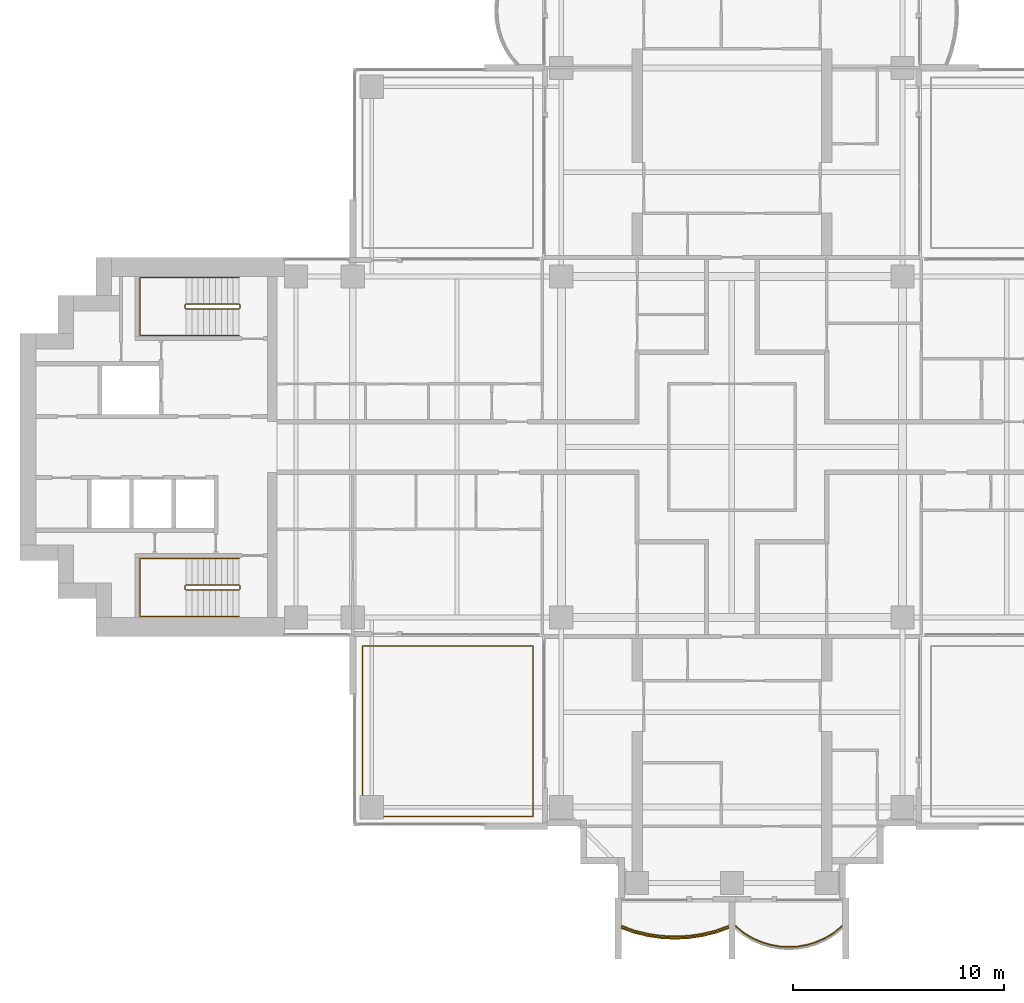
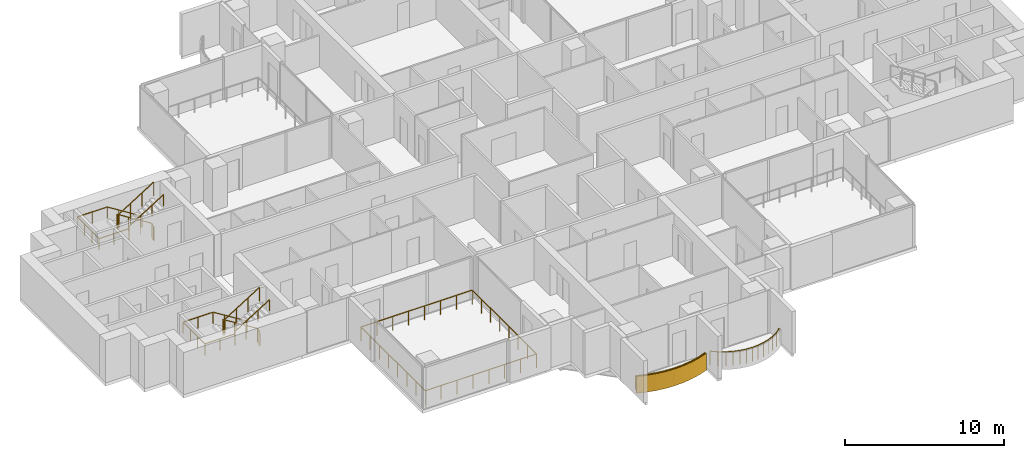
# One storey, part 16 of 18: 7 railings, 1 covering.
"""IFC4 building model written with IfcOpenShell, lengths in metres."""

from ifc_helpers import new_model, si_unit, direction, frame, origin, origin_2d, place, context, subcontext, project, spatial, polyline, rectangle, outline, extrude, material, layer, layer_set, type_object, element, save


model = new_model("IFC4")

# Units and contexts
model_context = context("Model", 3, precision=1e-05, world=origin(), true_north=direction((0.0, 1.0)))
body_context = subcontext(model_context, "Body", "Model", "MODEL_VIEW")
ifc_project = project(units=[si_unit("LENGTHUNIT", "METRE"), si_unit("AREAUNIT", "SQUARE_METRE"), si_unit("VOLUMEUNIT", "CUBIC_METRE"), si_unit("PLANEANGLEUNIT", "RADIAN"), si_unit("MASSUNIT", "GRAM", prefix="KILO")], contexts=[model_context])

# Site, building, storey
site_placement = place(None, origin())
site = spatial("IfcSite", under=ifc_project, at=site_placement, CompositionType="ELEMENT")
building_placement = place(site_placement, origin())
building = spatial("IfcBuilding", under=site, at=building_placement, Name="Perihelion Cross Residences", CompositionType="ELEMENT")
storey_placement = place(building_placement, frame((0.0, 0.0, 123.39990234375)))
storey = spatial("IfcBuildingStorey", under=building, at=storey_placement, Name="L29", CompositionType="ELEMENT", Elevation=123.39990234375)

# Covering
ifc_material_1 = material(Name="Bronze anodised aluminium", Category="aluminium")
ifc_layer = layer(ifc_material_1, 0.070068359375)
ifc_layer_set = layer_set([ifc_layer], Name="Balcony fascia 1300")
covering_type = type_object("IfcCoveringType", Name="Balcony fascia 1300", PredefinedType="CLADDING", material=ifc_layer_set)
covering_placement = place(storey_placement, frame((0.0, 0.0, -0.199951171875)))
element("IfcCovering", 1, at=covering_placement, inside=storey, type_object=covering_type, Name="Fascia BF1 L29 south tip south bay 1", PredefinedType="CLADDING", context=body_context, shape_type="SweptSolid", body=[
    extrude(outline(polyline([(-4.63232421875, -23.090576171875), (-3.98828125, -23.247314453125), (-3.34423828125, -23.339599609375), (-2.699951171875, -23.3701171875), (-2.055908203125, -23.339599609375), (-1.411865234375, -23.247314453125), (-0.767578125, -23.090576171875), (-0.14990234375, -22.874267578125), (-0.14990234375, -22.800048828125), (-0.78759765625, -23.0234375), (-1.425048828125, -23.178466796875), (-2.0625, -23.269775390625), (-2.699951171875, -23.300048828125), (-3.33740234375, -23.269775390625), (-3.97509765625, -23.178466796875), (-4.612548828125, -23.0234375), (-5.25, -22.800048828125), (-5.25, -22.874267578125), (-4.63232421875, -23.090576171875)])), origin(), (0.0, 0.0, 1.0), 1.300048828125),
])

# Railings
ifc_material_2 = material(Name="Bronze anodised aluminium", Category="aluminium")
railing_type_1 = type_object("IfcRailingType", Name="Balcony guard 1100", PredefinedType="GUARDRAIL", material=ifc_material_2)
railing_1_placement = place(storey_placement, frame((-5.22509765625, -22.739990234375, 0.0)))
element("IfcRailing", 2, at=railing_1_placement, inside=storey, type_object=railing_type_1, Name="Guard GU1 L29 south tip south bay 1 balcony", PredefinedType="GUARDRAIL", context=body_context, shape_type="SweptSolid", body=[
    extrude(rectangle(XDim=0.048095703125, YDim=0.048095703125, at=origin_2d()), frame((0.0, 0.0, 1.076171875), z_axis=(0.939355405384, -0.342945217749, 0.0), x_axis=(0.342945217749, 0.939355405384, 0.0)), (0.0, 0.0, 1.0), 0.652099609375),
    extrude(rectangle(XDim=0.048095703125, YDim=0.048095703125, at=origin_2d()), frame((0.612548828125, -0.2236328125, 1.076171875), z_axis=(0.971676841941, -0.236313594268, 0.0), x_axis=(0.236313594268, 0.971676841941, 0.0)), (0.0, 0.0, 1.0), 0.656005859375),
    extrude(rectangle(XDim=0.048095703125, YDim=0.048095703125, at=origin_2d()), frame((1.25, -0.378662109375, 1.076171875), z_axis=(0.989903964498, -0.141739694763, 0.0), x_axis=(0.141739694763, 0.989903964498, 0.0)), (0.0, 0.0, 1.0), 0.644287109375),
    extrude(rectangle(XDim=0.048095703125, YDim=0.048095703125, at=origin_2d()), frame((1.8876953125, -0.469970703125, 1.076171875), z_axis=(0.998892243319, -0.04705620296, 0.0), x_axis=(0.04705620296, 0.998892243319, 0.0)), (0.0, 0.0, 1.0), 0.63818359375),
    extrude(rectangle(XDim=0.048095703125, YDim=0.048095703125, at=origin_2d()), frame((2.525146484375, -0.5, 1.076171875), z_axis=(0.998892243319, 0.04705620296, 0.0), x_axis=(-0.04705620296, 0.998892243319, 0.0)), (0.0, 0.0, 1.0), 0.63818359375),
    extrude(rectangle(XDim=0.048095703125, YDim=0.048095703125, at=origin_2d()), frame((3.16259765625, -0.469970703125, 1.076171875), z_axis=(0.989896346386, 0.141792889142, 0.0), x_axis=(-0.141792889142, 0.989896346386, 0.0)), (0.0, 0.0, 1.0), 0.64404296875),
    extrude(rectangle(XDim=0.048095703125, YDim=0.048095703125, at=origin_2d()), frame((3.800048828125, -0.378662109375, 1.076171875), z_axis=(0.971676841941, 0.236313594268, 0.0), x_axis=(-0.236313594268, 0.971676841941, 0.0)), (0.0, 0.0, 1.0), 0.656005859375),
    extrude(rectangle(XDim=0.048095703125, YDim=0.048095703125, at=origin_2d()), frame((4.4375, -0.2236328125, 1.076171875), z_axis=(0.939355405384, 0.342945217749, 0.0), x_axis=(-0.342945217749, 0.939355405384, 0.0)), (0.0, 0.0, 1.0), 0.652099609375),
    extrude(rectangle(XDim=0.0419921875, YDim=0.0419921875, at=origin_2d()), origin(), (0.0, 0.0, 1.0), 1.052001953125),
    extrude(rectangle(XDim=0.0419921875, YDim=0.0419921875, at=origin_2d()), frame((0.612548828125, -0.2236328125, 0.0)), (0.0, 0.0, 1.0), 1.052001953125),
    extrude(rectangle(XDim=0.0419921875, YDim=0.0419921875, at=origin_2d()), frame((1.25, -0.378662109375, 0.0)), (0.0, 0.0, 1.0), 1.052001953125),
    extrude(rectangle(XDim=0.0419921875, YDim=0.0419921875, at=origin_2d()), frame((1.8876953125, -0.469970703125, 0.0)), (0.0, 0.0, 1.0), 1.052001953125),
    extrude(rectangle(XDim=0.0419921875, YDim=0.0419921875, at=origin_2d()), frame((2.525146484375, -0.5, 0.0)), (0.0, 0.0, 1.0), 1.052001953125),
    extrude(rectangle(XDim=0.0419921875, YDim=0.0419921875, at=origin_2d()), frame((3.16259765625, -0.469970703125, 0.0)), (0.0, 0.0, 1.0), 1.052001953125),
    extrude(rectangle(XDim=0.0419921875, YDim=0.0419921875, at=origin_2d()), frame((3.800048828125, -0.378662109375, 0.0)), (0.0, 0.0, 1.0), 1.052001953125),
    extrude(rectangle(XDim=0.0419921875, YDim=0.0419921875, at=origin_2d()), frame((4.4375, -0.2236328125, 0.0)), (0.0, 0.0, 1.0), 1.052001953125),
    extrude(rectangle(XDim=0.0419921875, YDim=0.0419921875, at=origin_2d()), frame((5.050048828125, 0.0, 0.0)), (0.0, 0.0, 1.0), 1.052001953125),
])
railing_2_placement = place(storey_placement, frame((0.175048828125, -22.739990234375, 0.0)))
element("IfcRailing", 3, at=railing_2_placement, inside=storey, type_object=railing_type_1, Name="Guard GU1 L29 south tip south bay 2 balcony", PredefinedType="GUARDRAIL", context=body_context, shape_type="SweptSolid", body=[
    extrude(rectangle(XDim=0.048095703125, YDim=0.048095703125, at=origin_2d()), frame((0.0, 0.0, 1.076171875), z_axis=(0.761778647315, -0.647837396648, 0.0), x_axis=(0.647837396648, 0.761778647315, 0.0)), (0.0, 0.0, 1.0), 0.52490234375),
    extrude(rectangle(XDim=0.048095703125, YDim=0.048095703125, at=origin_2d()), frame((0.39990234375, -0.340087890625, 1.076171875), z_axis=(0.859576918062, -0.511006381501, 0.0), x_axis=(0.511006381501, 0.859576918062, 0.0)), (0.0, 0.0, 1.0), 0.494384765625),
    extrude(rectangle(XDim=0.048095703125, YDim=0.048095703125, at=origin_2d()), frame((0.824951171875, -0.5927734375, 1.076171875), z_axis=(0.917831080218, -0.396971167952, 0.0), x_axis=(0.396971167952, 0.917831080218, 0.0)), (0.0, 0.0, 1.0), 0.463134765625),
    extrude(rectangle(XDim=0.048095703125, YDim=0.048095703125, at=origin_2d()), frame((1.25, -0.776611328125, 1.076171875), z_axis=(0.958925815697, -0.283656975924, 0.0), x_axis=(0.283656975924, 0.958925815697, 0.0)), (0.0, 0.0, 1.0), 0.443359375),
    extrude(rectangle(XDim=0.048095703125, YDim=0.048095703125, at=origin_2d()), frame((1.675048828125, -0.90234375, 1.076171875), z_axis=(0.985365142702, -0.170456843651, 0.0), x_axis=(0.170456843651, 0.985365142702, 0.0)), (0.0, 0.0, 1.0), 0.43115234375),
    extrude(rectangle(XDim=0.048095703125, YDim=0.048095703125, at=origin_2d()), frame((2.099853515625, -0.975830078125, 1.076171875), z_axis=(0.998387160354, -0.056772159032, 0.0), x_axis=(0.056772159032, 0.998387160354, 0.0)), (0.0, 0.0, 1.0), 0.42578125),
    extrude(rectangle(XDim=0.048095703125, YDim=0.048095703125, at=origin_2d()), frame((2.52490234375, -1.0, 1.076171875), z_axis=(0.998387160354, 0.056772159032, 0.0), x_axis=(-0.056772159032, 0.998387160354, 0.0)), (0.0, 0.0, 1.0), 0.42578125),
    extrude(rectangle(XDim=0.048095703125, YDim=0.048095703125, at=origin_2d()), frame((2.949951171875, -0.975830078125, 1.076171875), z_axis=(0.985381583142, 0.17036177859, 0.0), x_axis=(-0.17036177859, 0.985381583142, 0.0)), (0.0, 0.0, 1.0), 0.431396484375),
    extrude(rectangle(XDim=0.048095703125, YDim=0.048095703125, at=origin_2d()), frame((3.375, -0.90234375, 1.076171875), z_axis=(0.958925815697, 0.283656975924, 0.0), x_axis=(-0.283656975924, 0.958925815697, 0.0)), (0.0, 0.0, 1.0), 0.443359375),
    extrude(rectangle(XDim=0.048095703125, YDim=0.048095703125, at=origin_2d()), frame((3.800048828125, -0.776611328125, 1.076171875), z_axis=(0.917747942671, 0.397163333811, 0.0), x_axis=(-0.397163333811, 0.917747942671, 0.0)), (0.0, 0.0, 1.0), 0.462890625),
    extrude(rectangle(XDim=0.048095703125, YDim=0.048095703125, at=origin_2d()), frame((4.224853515625, -0.5927734375, 1.076171875), z_axis=(0.859576918062, 0.511006381501, 0.0), x_axis=(-0.511006381501, 0.859576918062, 0.0)), (0.0, 0.0, 1.0), 0.494384765625),
    extrude(rectangle(XDim=0.048095703125, YDim=0.048095703125, at=origin_2d()), frame((4.64990234375, -0.340087890625, 1.076171875), z_axis=(0.761973728849, 0.647607934281, 0.0), x_axis=(-0.647607934281, 0.761973728849, 0.0)), (0.0, 0.0, 1.0), 0.525146484375),
    extrude(rectangle(XDim=0.0419921875, YDim=0.0419921875, at=origin_2d()), origin(), (0.0, 0.0, 1.0), 1.052001953125),
    extrude(rectangle(XDim=0.0419921875, YDim=0.0419921875, at=origin_2d()), frame((0.39990234375, -0.340087890625, 0.0)), (0.0, 0.0, 1.0), 1.052001953125),
    extrude(rectangle(XDim=0.0419921875, YDim=0.0419921875, at=origin_2d()), frame((0.824951171875, -0.5927734375, 0.0)), (0.0, 0.0, 1.0), 1.052001953125),
    extrude(rectangle(XDim=0.0419921875, YDim=0.0419921875, at=origin_2d()), frame((1.25, -0.776611328125, 0.0)), (0.0, 0.0, 1.0), 1.052001953125),
    extrude(rectangle(XDim=0.0419921875, YDim=0.0419921875, at=origin_2d()), frame((1.675048828125, -0.90234375, 0.0)), (0.0, 0.0, 1.0), 1.052001953125),
    extrude(rectangle(XDim=0.0419921875, YDim=0.0419921875, at=origin_2d()), frame((2.099853515625, -0.975830078125, 0.0)), (0.0, 0.0, 1.0), 1.052001953125),
    extrude(rectangle(XDim=0.0419921875, YDim=0.0419921875, at=origin_2d()), frame((2.52490234375, -1.0, 0.0)), (0.0, 0.0, 1.0), 1.052001953125),
    extrude(rectangle(XDim=0.0419921875, YDim=0.0419921875, at=origin_2d()), frame((2.949951171875, -0.975830078125, 0.0)), (0.0, 0.0, 1.0), 1.052001953125),
    extrude(rectangle(XDim=0.0419921875, YDim=0.0419921875, at=origin_2d()), frame((3.375, -0.90234375, 0.0)), (0.0, 0.0, 1.0), 1.052001953125),
    extrude(rectangle(XDim=0.0419921875, YDim=0.0419921875, at=origin_2d()), frame((3.800048828125, -0.776611328125, 0.0)), (0.0, 0.0, 1.0), 1.052001953125),
    extrude(rectangle(XDim=0.0419921875, YDim=0.0419921875, at=origin_2d()), frame((4.224853515625, -0.5927734375, 0.0)), (0.0, 0.0, 1.0), 1.052001953125),
    extrude(rectangle(XDim=0.0419921875, YDim=0.0419921875, at=origin_2d()), frame((4.64990234375, -0.340087890625, 0.0)), (0.0, 0.0, 1.0), 1.052001953125),
    extrude(rectangle(XDim=0.0419921875, YDim=0.0419921875, at=origin_2d()), frame((5.050048828125, 0.0, 0.0)), (0.0, 0.0, 1.0), 1.052001953125),
])
railing_3_placement = place(storey_placement, frame((-9.449951171875, -17.550048828125, 0.0)))
element("IfcRailing", 4, at=railing_3_placement, inside=storey, type_object=railing_type_1, Name="Guard GU1 L29 pocket south-west 1", PredefinedType="GUARDRAIL", context=body_context, shape_type="SweptSolid", body=[
    extrude(rectangle(XDim=0.048095703125, YDim=0.048095703125, at=origin_2d()), frame((0.0, 0.0, 1.076171875), z_axis=(-1.0, 0.0, 0.0), x_axis=(0.0, -1.0, 0.0)), (0.0, 0.0, 1.0), 8.10009765625),
    extrude(rectangle(XDim=0.048095703125, YDim=0.048095703125, at=origin_2d()), frame((-8.10009765625, 0.0, 1.076171875), z_axis=(0.0, 1.0, 0.0), x_axis=(-1.0, 0.0, 0.0)), (0.0, 0.0, 1.0), 8.10009765625),
    extrude(rectangle(XDim=0.048095703125, YDim=0.048095703125, at=origin_2d()), frame((-8.10009765625, 8.10009765625, 1.076171875), z_axis=(1.0, 0.0, 0.0), x_axis=(0.0, 1.0, 0.0)), (0.0, 0.0, 1.0), 8.10009765625),
    extrude(rectangle(XDim=0.048095703125, YDim=0.048095703125, at=origin_2d()), frame((0.0, 8.10009765625, 1.076171875), z_axis=(0.0, -1.0, 0.0), x_axis=(1.0, 0.0, 0.0)), (0.0, 0.0, 1.0), 8.10009765625),
    extrude(rectangle(XDim=0.0419921875, YDim=0.0419921875, at=origin_2d()), origin(), (0.0, 0.0, 1.0), 1.052001953125),
    extrude(rectangle(XDim=0.0419921875, YDim=0.0419921875, at=origin_2d()), frame((-1.1572265625, 0.0, 0.0)), (0.0, 0.0, 1.0), 1.052001953125),
    extrude(rectangle(XDim=0.0419921875, YDim=0.0419921875, at=origin_2d()), frame((-2.314208984375, 0.0, 0.0)), (0.0, 0.0, 1.0), 1.052001953125),
    extrude(rectangle(XDim=0.0419921875, YDim=0.0419921875, at=origin_2d()), frame((-3.471435546875, 0.0, 0.0)), (0.0, 0.0, 1.0), 1.052001953125),
    extrude(rectangle(XDim=0.0419921875, YDim=0.0419921875, at=origin_2d()), frame((-4.628662109375, 0.0, 0.0)), (0.0, 0.0, 1.0), 1.052001953125),
    extrude(rectangle(XDim=0.0419921875, YDim=0.0419921875, at=origin_2d()), frame((-5.785888671875, 0.0, 0.0)), (0.0, 0.0, 1.0), 1.052001953125),
    extrude(rectangle(XDim=0.0419921875, YDim=0.0419921875, at=origin_2d()), frame((-6.94287109375, 0.0, 0.0)), (0.0, 0.0, 1.0), 1.052001953125),
    extrude(rectangle(XDim=0.0419921875, YDim=0.0419921875, at=origin_2d()), frame((-8.10009765625, 0.0, 0.0)), (0.0, 0.0, 1.0), 1.052001953125),
    extrude(rectangle(XDim=0.0419921875, YDim=0.0419921875, at=origin_2d()), frame((-8.10009765625, 1.1572265625, 0.0)), (0.0, 0.0, 1.0), 1.052001953125),
    extrude(rectangle(XDim=0.0419921875, YDim=0.0419921875, at=origin_2d()), frame((-8.10009765625, 2.314208984375, 0.0)), (0.0, 0.0, 1.0), 1.052001953125),
    extrude(rectangle(XDim=0.0419921875, YDim=0.0419921875, at=origin_2d()), frame((-8.10009765625, 3.471435546875, 0.0)), (0.0, 0.0, 1.0), 1.052001953125),
    extrude(rectangle(XDim=0.0419921875, YDim=0.0419921875, at=origin_2d()), frame((-8.10009765625, 4.628662109375, 0.0)), (0.0, 0.0, 1.0), 1.052001953125),
    extrude(rectangle(XDim=0.0419921875, YDim=0.0419921875, at=origin_2d()), frame((-8.10009765625, 5.785888671875, 0.0)), (0.0, 0.0, 1.0), 1.052001953125),
    extrude(rectangle(XDim=0.0419921875, YDim=0.0419921875, at=origin_2d()), frame((-8.10009765625, 6.94287109375, 0.0)), (0.0, 0.0, 1.0), 1.052001953125),
    extrude(rectangle(XDim=0.0419921875, YDim=0.0419921875, at=origin_2d()), frame((-8.10009765625, 8.10009765625, 0.0)), (0.0, 0.0, 1.0), 1.052001953125),
    extrude(rectangle(XDim=0.0419921875, YDim=0.0419921875, at=origin_2d()), frame((-6.94287109375, 8.10009765625, 0.0)), (0.0, 0.0, 1.0), 1.052001953125),
    extrude(rectangle(XDim=0.0419921875, YDim=0.0419921875, at=origin_2d()), frame((-5.785888671875, 8.10009765625, 0.0)), (0.0, 0.0, 1.0), 1.052001953125),
    extrude(rectangle(XDim=0.0419921875, YDim=0.0419921875, at=origin_2d()), frame((-4.628662109375, 8.10009765625, 0.0)), (0.0, 0.0, 1.0), 1.052001953125),
    extrude(rectangle(XDim=0.0419921875, YDim=0.0419921875, at=origin_2d()), frame((-3.471435546875, 8.10009765625, 0.0)), (0.0, 0.0, 1.0), 1.052001953125),
    extrude(rectangle(XDim=0.0419921875, YDim=0.0419921875, at=origin_2d()), frame((-2.314208984375, 8.10009765625, 0.0)), (0.0, 0.0, 1.0), 1.052001953125),
    extrude(rectangle(XDim=0.0419921875, YDim=0.0419921875, at=origin_2d()), frame((-1.1572265625, 8.10009765625, 0.0)), (0.0, 0.0, 1.0), 1.052001953125),
    extrude(rectangle(XDim=0.0419921875, YDim=0.0419921875, at=origin_2d()), frame((0.0, 8.10009765625, 0.0)), (0.0, 0.0, 1.0), 1.052001953125),
    extrude(rectangle(XDim=0.0419921875, YDim=0.0419921875, at=origin_2d()), frame((0.0, 6.94287109375, 0.0)), (0.0, 0.0, 1.0), 1.052001953125),
    extrude(rectangle(XDim=0.0419921875, YDim=0.0419921875, at=origin_2d()), frame((0.0, 5.785888671875, 0.0)), (0.0, 0.0, 1.0), 1.052001953125),
    extrude(rectangle(XDim=0.0419921875, YDim=0.0419921875, at=origin_2d()), frame((0.0, 4.628662109375, 0.0)), (0.0, 0.0, 1.0), 1.052001953125),
    extrude(rectangle(XDim=0.0419921875, YDim=0.0419921875, at=origin_2d()), frame((0.0, 3.471435546875, 0.0)), (0.0, 0.0, 1.0), 1.052001953125),
    extrude(rectangle(XDim=0.0419921875, YDim=0.0419921875, at=origin_2d()), frame((0.0, 2.314208984375, 0.0)), (0.0, 0.0, 1.0), 1.052001953125),
    extrude(rectangle(XDim=0.0419921875, YDim=0.0419921875, at=origin_2d()), frame((0.0, 1.1572265625, 0.0)), (0.0, 0.0, 1.0), 1.052001953125),
])
ifc_material_3 = material(Name="Stainless steel", Category="steel")
railing_type_2 = type_object("IfcRailingType", Name="Stair guard 1100", PredefinedType="GUARDRAIL", material=ifc_material_3)
railing_4_placement = place(storey_placement, frame((-23.35009765625, 6.60009765625, 0.0)))
element("IfcRailing", 5, at=railing_4_placement, inside=storey, type_object=railing_type_2, Name="L29 ST-W1 stair guard 1", PredefinedType="GUARDRAIL", context=body_context, shape_type="SweptSolid", body=[
    extrude(rectangle(XDim=0.048095703125, YDim=0.048095703125, at=origin_2d()), frame((0.0, 0.0, 1.076171875), z_axis=(0.0, 1.0, 0.0), x_axis=(-1.0, 0.0, 0.0)), (0.0, 0.0, 1.0), 0.14990234375),
    extrude(rectangle(XDim=0.048095703125, YDim=0.048095703125, at=origin_2d()), frame((0.0, 0.14990234375, 1.076171875), z_axis=(-0.263862480399, 0.265155923931, 0.927399011991), x_axis=(-0.708833529934, -0.705375805398, 0.0)), (0.0, 0.0, 1.0), 0.188720703125),
    extrude(rectangle(XDim=0.048095703125, YDim=0.048095703125, at=origin_2d()), frame((-0.0498046875, 0.199951171875, 1.2509765625), z_axis=(-0.848007534815, 0.0, 0.529984170421), x_axis=(0.0, -1.0, 0.0)), (0.0, 0.0, 1.0), 2.9716796875),
    extrude(rectangle(XDim=0.048095703125, YDim=0.048095703125, at=origin_2d()), frame((-2.56982421875, 0.199951171875, 2.826171875), z_axis=(-0.707106781187, -0.707106781187, 0.0), x_axis=(0.707106781187, -0.707106781187, 0.0)), (0.0, 0.0, 1.0), 0.07080078125),
    extrude(rectangle(XDim=0.048095703125, YDim=0.048095703125, at=origin_2d()), frame((-2.619873046875, 0.14990234375, 2.826171875), z_axis=(0.0, -1.0, 0.0), x_axis=(1.0, 0.0, 0.0)), (0.0, 0.0, 1.0), 0.14990234375),
    extrude(rectangle(XDim=0.048095703125, YDim=0.048095703125, at=origin_2d()), frame((-2.619873046875, 0.0, 2.826171875), z_axis=(0.265065253269, -0.265065253269, 0.927081885822), x_axis=(0.707106781187, 0.707106781187, 0.0)), (0.0, 0.0, 1.0), 0.188720703125),
    extrude(rectangle(XDim=0.048095703125, YDim=0.048095703125, at=origin_2d()), frame((-2.56982421875, -0.050048828125, 3.0009765625), z_axis=(0.848007534815, 0.0, 0.529984170421), x_axis=(0.0, 1.0, 0.0)), (0.0, 0.0, 1.0), 2.9716796875),
    extrude(rectangle(XDim=0.0419921875, YDim=0.0419921875, at=origin_2d()), origin(), (0.0, 0.0, 1.0), 1.052001953125),
    extrude(rectangle(XDim=0.0419921875, YDim=0.0419921875, at=origin_2d()), frame((0.0, 0.14990234375, 0.0)), (0.0, 0.0, 1.0), 1.052001953125),
    extrude(rectangle(XDim=0.0419921875, YDim=0.0419921875, at=origin_2d()), frame((-0.0498046875, 0.199951171875, 0.175048828125)), (0.0, 0.0, 1.0), 1.052001953125),
    extrude(rectangle(XDim=0.0419921875, YDim=0.0419921875, at=origin_2d()), frame((-0.889892578125, 0.199951171875, 0.699951171875)), (0.0, 0.0, 1.0), 1.052001953125),
    extrude(rectangle(XDim=0.0419921875, YDim=0.0419921875, at=origin_2d()), frame((-1.729736328125, 0.199951171875, 1.22509765625)), (0.0, 0.0, 1.0), 1.052001953125),
    extrude(rectangle(XDim=0.0419921875, YDim=0.0419921875, at=origin_2d()), frame((-2.56982421875, 0.199951171875, 1.75)), (0.0, 0.0, 1.0), 1.052001953125),
    extrude(rectangle(XDim=0.0419921875, YDim=0.0419921875, at=origin_2d()), frame((-2.619873046875, 0.14990234375, 1.75)), (0.0, 0.0, 1.0), 1.052001953125),
    extrude(rectangle(XDim=0.0419921875, YDim=0.0419921875, at=origin_2d()), frame((-2.619873046875, 0.0, 1.75)), (0.0, 0.0, 1.0), 1.052001953125),
    extrude(rectangle(XDim=0.0419921875, YDim=0.0419921875, at=origin_2d()), frame((-2.56982421875, -0.050048828125, 1.925048828125)), (0.0, 0.0, 1.0), 1.052001953125),
    extrude(rectangle(XDim=0.0419921875, YDim=0.0419921875, at=origin_2d()), frame((-1.729736328125, -0.050048828125, 2.449951171875)), (0.0, 0.0, 1.0), 1.052001953125),
    extrude(rectangle(XDim=0.0419921875, YDim=0.0419921875, at=origin_2d()), frame((-0.889892578125, -0.050048828125, 2.97509765625)), (0.0, 0.0, 1.0), 1.052001953125),
    extrude(rectangle(XDim=0.0419921875, YDim=0.0419921875, at=origin_2d()), frame((-0.0498046875, -0.050048828125, 3.5)), (0.0, 0.0, 1.0), 1.052001953125),
])
railing_5_placement = place(storey_placement, frame((-23.35009765625, -6.75, 0.0)))
element("IfcRailing", 6, at=railing_5_placement, inside=storey, type_object=railing_type_2, Name="L29 ST-W2 stair guard 1", PredefinedType="GUARDRAIL", context=body_context, shape_type="SweptSolid", body=[
    extrude(rectangle(XDim=0.048095703125, YDim=0.048095703125, at=origin_2d()), frame((0.0, 0.0, 1.076171875), z_axis=(0.0, 1.0, 0.0), x_axis=(-1.0, 0.0, 0.0)), (0.0, 0.0, 1.0), 0.14990234375),
    extrude(rectangle(XDim=0.048095703125, YDim=0.048095703125, at=origin_2d()), frame((0.0, 0.14990234375, 1.076171875), z_axis=(-0.263862480399, 0.265155923931, 0.927399011991), x_axis=(-0.708833529934, -0.705375805398, 0.0)), (0.0, 0.0, 1.0), 0.188720703125),
    extrude(rectangle(XDim=0.048095703125, YDim=0.048095703125, at=origin_2d()), frame((-0.0498046875, 0.199951171875, 1.2509765625), z_axis=(-0.848007534815, 0.0, 0.529984170421), x_axis=(0.0, -1.0, 0.0)), (0.0, 0.0, 1.0), 2.9716796875),
    extrude(rectangle(XDim=0.048095703125, YDim=0.048095703125, at=origin_2d()), frame((-2.56982421875, 0.199951171875, 2.826171875), z_axis=(-0.707106781187, -0.707106781187, 0.0), x_axis=(0.707106781187, -0.707106781187, 0.0)), (0.0, 0.0, 1.0), 0.07080078125),
    extrude(rectangle(XDim=0.048095703125, YDim=0.048095703125, at=origin_2d()), frame((-2.619873046875, 0.14990234375, 2.826171875), z_axis=(0.0, -1.0, 0.0), x_axis=(1.0, 0.0, 0.0)), (0.0, 0.0, 1.0), 0.14990234375),
    extrude(rectangle(XDim=0.048095703125, YDim=0.048095703125, at=origin_2d()), frame((-2.619873046875, 0.0, 2.826171875), z_axis=(0.265065253269, -0.265065253269, 0.927081885822), x_axis=(0.707106781187, 0.707106781187, 0.0)), (0.0, 0.0, 1.0), 0.188720703125),
    extrude(rectangle(XDim=0.048095703125, YDim=0.048095703125, at=origin_2d()), frame((-2.56982421875, -0.050048828125, 3.0009765625), z_axis=(0.848007534815, 0.0, 0.529984170421), x_axis=(0.0, 1.0, 0.0)), (0.0, 0.0, 1.0), 2.9716796875),
    extrude(rectangle(XDim=0.0419921875, YDim=0.0419921875, at=origin_2d()), origin(), (0.0, 0.0, 1.0), 1.052001953125),
    extrude(rectangle(XDim=0.0419921875, YDim=0.0419921875, at=origin_2d()), frame((0.0, 0.14990234375, 0.0)), (0.0, 0.0, 1.0), 1.052001953125),
    extrude(rectangle(XDim=0.0419921875, YDim=0.0419921875, at=origin_2d()), frame((-0.0498046875, 0.199951171875, 0.175048828125)), (0.0, 0.0, 1.0), 1.052001953125),
    extrude(rectangle(XDim=0.0419921875, YDim=0.0419921875, at=origin_2d()), frame((-0.889892578125, 0.199951171875, 0.699951171875)), (0.0, 0.0, 1.0), 1.052001953125),
    extrude(rectangle(XDim=0.0419921875, YDim=0.0419921875, at=origin_2d()), frame((-1.729736328125, 0.199951171875, 1.22509765625)), (0.0, 0.0, 1.0), 1.052001953125),
    extrude(rectangle(XDim=0.0419921875, YDim=0.0419921875, at=origin_2d()), frame((-2.56982421875, 0.199951171875, 1.75)), (0.0, 0.0, 1.0), 1.052001953125),
    extrude(rectangle(XDim=0.0419921875, YDim=0.0419921875, at=origin_2d()), frame((-2.619873046875, 0.14990234375, 1.75)), (0.0, 0.0, 1.0), 1.052001953125),
    extrude(rectangle(XDim=0.0419921875, YDim=0.0419921875, at=origin_2d()), frame((-2.619873046875, 0.0, 1.75)), (0.0, 0.0, 1.0), 1.052001953125),
    extrude(rectangle(XDim=0.0419921875, YDim=0.0419921875, at=origin_2d()), frame((-2.56982421875, -0.050048828125, 1.925048828125)), (0.0, 0.0, 1.0), 1.052001953125),
    extrude(rectangle(XDim=0.0419921875, YDim=0.0419921875, at=origin_2d()), frame((-1.729736328125, -0.050048828125, 2.449951171875)), (0.0, 0.0, 1.0), 1.052001953125),
    extrude(rectangle(XDim=0.0419921875, YDim=0.0419921875, at=origin_2d()), frame((-0.889892578125, -0.050048828125, 2.97509765625)), (0.0, 0.0, 1.0), 1.052001953125),
    extrude(rectangle(XDim=0.0419921875, YDim=0.0419921875, at=origin_2d()), frame((-0.0498046875, -0.050048828125, 3.5)), (0.0, 0.0, 1.0), 1.052001953125),
])
ifc_material_4 = material(Name="Stainless steel", Category="steel")
railing_type_3 = type_object("IfcRailingType", Name="Stair handrail 900", PredefinedType="HANDRAIL", material=ifc_material_4)
railing_6_placement = place(storey_placement, frame((-23.39990234375, 8.050048828125, 0.175048828125)))
element("IfcRailing", 7, at=railing_6_placement, inside=storey, type_object=railing_type_3, Name="L29 ST-W1 stair handrail 1", PredefinedType="HANDRAIL", context=body_context, shape_type="SweptSolid", body=[
    extrude(rectangle(XDim=0.048095703125, YDim=0.048095703125, at=origin_2d()), frame((0.0, 0.0, 0.8759765625), z_axis=(-0.848007534815, 0.0, 0.529984170421), x_axis=(0.0, -1.0, 0.0)), (0.0, 0.0, 1.0), 2.9716796875),
    extrude(rectangle(XDim=0.048095703125, YDim=0.048095703125, at=origin_2d()), frame((-2.52001953125, 0.0, 2.45068359375), z_axis=(-1.0, 0.0, 0.0), x_axis=(0.0, -1.0, 0.0)), (0.0, 0.0, 1.0), 2.18017578125),
    extrude(rectangle(XDim=0.048095703125, YDim=0.048095703125, at=origin_2d()), frame((-4.7001953125, 0.0, 2.45068359375), z_axis=(0.0, -1.0, 0.0), x_axis=(1.0, 0.0, 0.0)), (0.0, 0.0, 1.0), 2.75),
    extrude(rectangle(XDim=0.048095703125, YDim=0.048095703125, at=origin_2d()), frame((-4.7001953125, -2.75, 2.45068359375), z_axis=(1.0, 0.0, 0.0), x_axis=(0.0, 1.0, 0.0)), (0.0, 0.0, 1.0), 2.18017578125),
    extrude(rectangle(XDim=0.048095703125, YDim=0.048095703125, at=origin_2d()), frame((-2.52001953125, -2.75, 2.45068359375), z_axis=(0.0, 0.0, 1.0), x_axis=(1.0, 0.0, 0.0)), (0.0, 0.0, 1.0), 0.175048828125),
    extrude(rectangle(XDim=0.048095703125, YDim=0.048095703125, at=origin_2d()), frame((-2.52001953125, -2.75, 2.6259765625), z_axis=(0.848007534815, 0.0, 0.529984170421), x_axis=(0.0, 1.0, 0.0)), (0.0, 0.0, 1.0), 2.9716796875),
    extrude(rectangle(XDim=0.0419921875, YDim=0.0419921875, at=origin_2d()), origin(), (0.0, 0.0, 1.0), 0.851806640625),
    extrude(rectangle(XDim=0.0419921875, YDim=0.0419921875, at=origin_2d()), frame((-0.840087890625, 0.0, 0.52490234375)), (0.0, 0.0, 1.0), 0.851806640625),
    extrude(rectangle(XDim=0.0419921875, YDim=0.0419921875, at=origin_2d()), frame((-1.679931640625, 0.0, 1.050048828125)), (0.0, 0.0, 1.0), 0.851806640625),
    extrude(rectangle(XDim=0.0419921875, YDim=0.0419921875, at=origin_2d()), frame((-2.52001953125, 0.0, 1.574951171875)), (0.0, 0.0, 1.0), 0.851806640625),
    extrude(rectangle(XDim=0.0419921875, YDim=0.0419921875, at=origin_2d()), frame((-3.610107421875, 0.0, 1.574951171875)), (0.0, 0.0, 1.0), 0.851806640625),
    extrude(rectangle(XDim=0.0419921875, YDim=0.0419921875, at=origin_2d()), frame((-4.7001953125, 0.0, 1.574951171875)), (0.0, 0.0, 1.0), 0.851806640625),
    extrude(rectangle(XDim=0.0419921875, YDim=0.0419921875, at=origin_2d()), frame((-4.7001953125, -0.916748046875, 1.574951171875)), (0.0, 0.0, 1.0), 0.851806640625),
    extrude(rectangle(XDim=0.0419921875, YDim=0.0419921875, at=origin_2d()), frame((-4.7001953125, -1.833251953125, 1.574951171875)), (0.0, 0.0, 1.0), 0.851806640625),
    extrude(rectangle(XDim=0.0419921875, YDim=0.0419921875, at=origin_2d()), frame((-4.7001953125, -2.75, 1.574951171875)), (0.0, 0.0, 1.0), 0.851806640625),
    extrude(rectangle(XDim=0.0419921875, YDim=0.0419921875, at=origin_2d()), frame((-3.610107421875, -2.75, 1.574951171875)), (0.0, 0.0, 1.0), 0.851806640625),
    extrude(rectangle(XDim=0.0419921875, YDim=0.0419921875, at=origin_2d()), frame((-2.52001953125, -2.75, 1.574951171875)), (0.0, 0.0, 1.0), 0.851806640625),
    extrude(rectangle(XDim=0.0419921875, YDim=0.0419921875, at=origin_2d()), frame((-2.52001953125, -2.75, 1.75)), (0.0, 0.0, 1.0), 0.851806640625),
    extrude(rectangle(XDim=0.0419921875, YDim=0.0419921875, at=origin_2d()), frame((-1.679931640625, -2.75, 2.27490234375)), (0.0, 0.0, 1.0), 0.851806640625),
    extrude(rectangle(XDim=0.0419921875, YDim=0.0419921875, at=origin_2d()), frame((-0.840087890625, -2.75, 2.800048828125)), (0.0, 0.0, 1.0), 0.851806640625),
    extrude(rectangle(XDim=0.0419921875, YDim=0.0419921875, at=origin_2d()), frame((0.0, -2.75, 3.324951171875)), (0.0, 0.0, 1.0), 0.851806640625),
])
railing_7_placement = place(storey_placement, frame((-23.39990234375, -5.300048828125, 0.175048828125)))
element("IfcRailing", 8, at=railing_7_placement, inside=storey, type_object=railing_type_3, Name="L29 ST-W2 stair handrail 1", PredefinedType="HANDRAIL", context=body_context, shape_type="SweptSolid", body=[
    extrude(rectangle(XDim=0.048095703125, YDim=0.048095703125, at=origin_2d()), frame((0.0, 0.0, 0.8759765625), z_axis=(-0.848007534815, 0.0, 0.529984170421), x_axis=(0.0, -1.0, 0.0)), (0.0, 0.0, 1.0), 2.9716796875),
    extrude(rectangle(XDim=0.048095703125, YDim=0.048095703125, at=origin_2d()), frame((-2.52001953125, 0.0, 2.45068359375), z_axis=(-1.0, 0.0, 0.0), x_axis=(0.0, -1.0, 0.0)), (0.0, 0.0, 1.0), 2.18017578125),
    extrude(rectangle(XDim=0.048095703125, YDim=0.048095703125, at=origin_2d()), frame((-4.7001953125, 0.0, 2.45068359375), z_axis=(0.0, -1.0, 0.0), x_axis=(1.0, 0.0, 0.0)), (0.0, 0.0, 1.0), 2.75),
    extrude(rectangle(XDim=0.048095703125, YDim=0.048095703125, at=origin_2d()), frame((-4.7001953125, -2.75, 2.45068359375), z_axis=(1.0, 0.0, 0.0), x_axis=(0.0, 1.0, 0.0)), (0.0, 0.0, 1.0), 2.18017578125),
    extrude(rectangle(XDim=0.048095703125, YDim=0.048095703125, at=origin_2d()), frame((-2.52001953125, -2.75, 2.45068359375), z_axis=(0.0, 0.0, 1.0), x_axis=(1.0, 0.0, 0.0)), (0.0, 0.0, 1.0), 0.175048828125),
    extrude(rectangle(XDim=0.048095703125, YDim=0.048095703125, at=origin_2d()), frame((-2.52001953125, -2.75, 2.6259765625), z_axis=(0.848007534815, 0.0, 0.529984170421), x_axis=(0.0, 1.0, 0.0)), (0.0, 0.0, 1.0), 2.9716796875),
    extrude(rectangle(XDim=0.0419921875, YDim=0.0419921875, at=origin_2d()), origin(), (0.0, 0.0, 1.0), 0.851806640625),
    extrude(rectangle(XDim=0.0419921875, YDim=0.0419921875, at=origin_2d()), frame((-0.840087890625, 0.0, 0.52490234375)), (0.0, 0.0, 1.0), 0.851806640625),
    extrude(rectangle(XDim=0.0419921875, YDim=0.0419921875, at=origin_2d()), frame((-1.679931640625, 0.0, 1.050048828125)), (0.0, 0.0, 1.0), 0.851806640625),
    extrude(rectangle(XDim=0.0419921875, YDim=0.0419921875, at=origin_2d()), frame((-2.52001953125, 0.0, 1.574951171875)), (0.0, 0.0, 1.0), 0.851806640625),
    extrude(rectangle(XDim=0.0419921875, YDim=0.0419921875, at=origin_2d()), frame((-3.610107421875, 0.0, 1.574951171875)), (0.0, 0.0, 1.0), 0.851806640625),
    extrude(rectangle(XDim=0.0419921875, YDim=0.0419921875, at=origin_2d()), frame((-4.7001953125, 0.0, 1.574951171875)), (0.0, 0.0, 1.0), 0.851806640625),
    extrude(rectangle(XDim=0.0419921875, YDim=0.0419921875, at=origin_2d()), frame((-4.7001953125, -0.916748046875, 1.574951171875)), (0.0, 0.0, 1.0), 0.851806640625),
    extrude(rectangle(XDim=0.0419921875, YDim=0.0419921875, at=origin_2d()), frame((-4.7001953125, -1.833251953125, 1.574951171875)), (0.0, 0.0, 1.0), 0.851806640625),
    extrude(rectangle(XDim=0.0419921875, YDim=0.0419921875, at=origin_2d()), frame((-4.7001953125, -2.75, 1.574951171875)), (0.0, 0.0, 1.0), 0.851806640625),
    extrude(rectangle(XDim=0.0419921875, YDim=0.0419921875, at=origin_2d()), frame((-3.610107421875, -2.75, 1.574951171875)), (0.0, 0.0, 1.0), 0.851806640625),
    extrude(rectangle(XDim=0.0419921875, YDim=0.0419921875, at=origin_2d()), frame((-2.52001953125, -2.75, 1.574951171875)), (0.0, 0.0, 1.0), 0.851806640625),
    extrude(rectangle(XDim=0.0419921875, YDim=0.0419921875, at=origin_2d()), frame((-2.52001953125, -2.75, 1.75)), (0.0, 0.0, 1.0), 0.851806640625),
    extrude(rectangle(XDim=0.0419921875, YDim=0.0419921875, at=origin_2d()), frame((-1.679931640625, -2.75, 2.27490234375)), (0.0, 0.0, 1.0), 0.851806640625),
    extrude(rectangle(XDim=0.0419921875, YDim=0.0419921875, at=origin_2d()), frame((-0.840087890625, -2.75, 2.800048828125)), (0.0, 0.0, 1.0), 0.851806640625),
    extrude(rectangle(XDim=0.0419921875, YDim=0.0419921875, at=origin_2d()), frame((0.0, -2.75, 3.324951171875)), (0.0, 0.0, 1.0), 0.851806640625),
])

save(model, "model.ifc")
